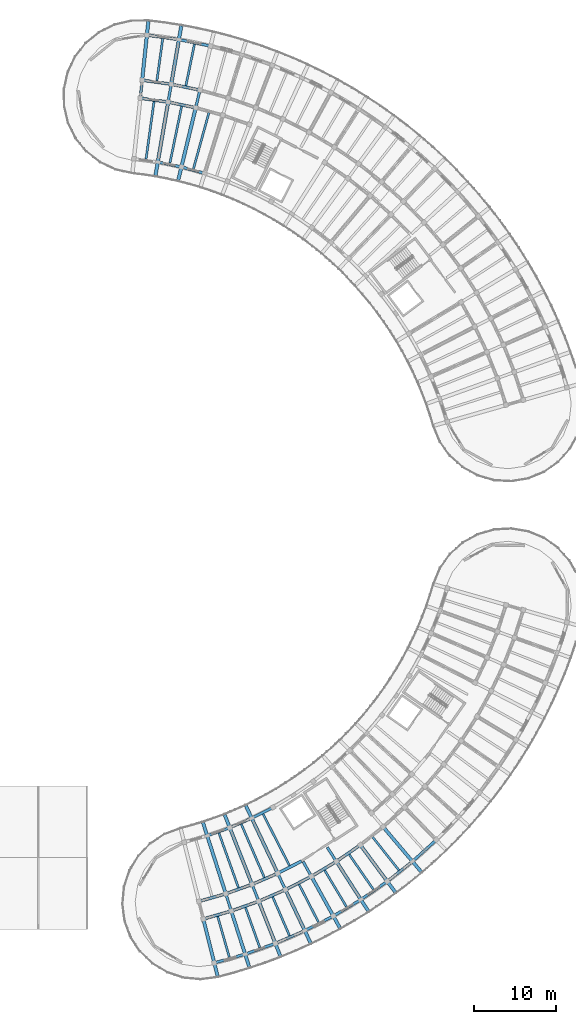
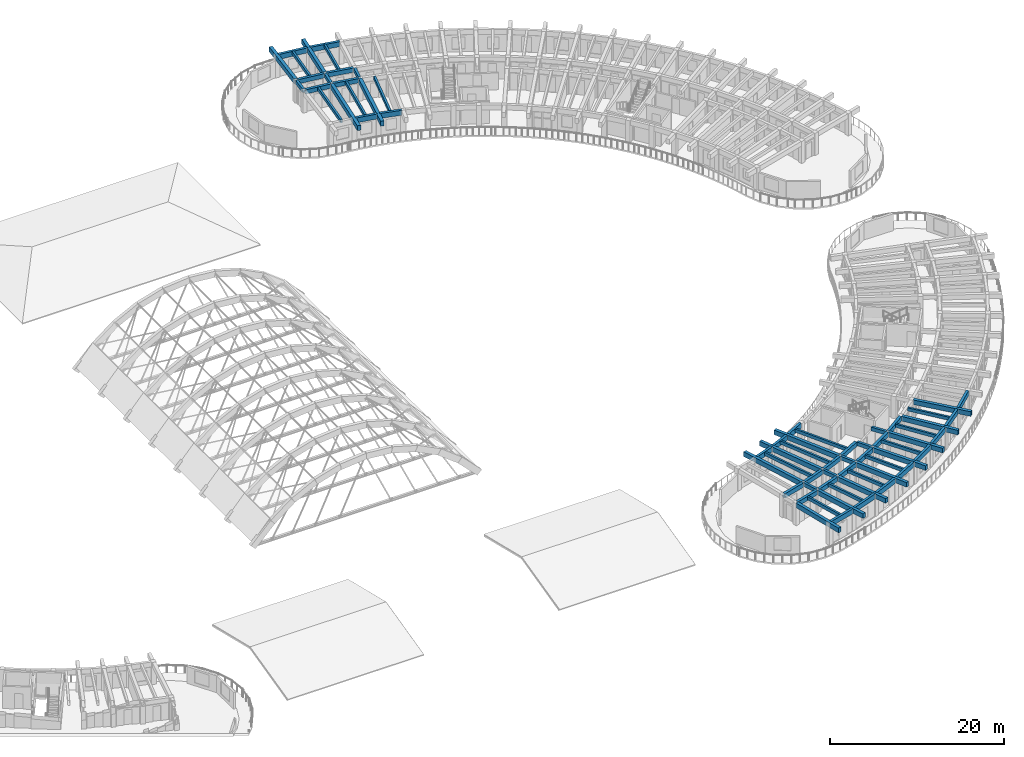
# One storey, part 16 of 81: 67 beams.
"""IFC4 building model written with IfcOpenShell, lengths in metres."""

from ifc_helpers import new_model, si_unit, direction, frame, origin, origin_2d, place, context, subcontext, project, spatial, rectangle, extrude, material, material_profile, profile_set, type_object, element, save


model = new_model("IFC4")

# Units and contexts
model_context = context("Model", 3, precision=1e-05, world=origin(), true_north=direction((0.0, 1.0)))
body_context = subcontext(model_context, "Body", "Model", "MODEL_VIEW")
ifc_project = project(units=[si_unit("LENGTHUNIT", "METRE"), si_unit("AREAUNIT", "SQUARE_METRE"), si_unit("VOLUMEUNIT", "CUBIC_METRE"), si_unit("PLANEANGLEUNIT", "RADIAN"), si_unit("MASSUNIT", "GRAM", prefix="KILO")], contexts=[model_context])

# Site, building, storey
site_placement = place(None, origin())
site = spatial("IfcSite", under=ifc_project, at=site_placement, CompositionType="ELEMENT")
building_placement = place(site_placement, origin())
building = spatial("IfcBuilding", under=site, at=building_placement, Name="Tanwirah Colonnade Gardens", CompositionType="ELEMENT")
storey_placement = place(building_placement, frame((0.0, 0.0, 8.840087890625)))
storey = spatial("IfcBuildingStorey", under=building, at=storey_placement, Name="L02", CompositionType="ELEMENT", Elevation=8.840087890625)

# Beams
ifc_material_1 = material(Name="Precast concrete C40/50", Category="concrete")
ifc_material_profile_1 = material_profile(ifc_material_1, rectangle(XDim=0.360107421875, YDim=0.610107421875, at=origin_2d()), Name="PC-BM 360x610")
ifc_profile_set_1 = profile_set([ifc_material_profile_1], Name="Precast concrete C40/50")
beam_type_1 = type_object("IfcBeamType", Name="BM-PC300", PredefinedType="BEAM", material=ifc_profile_set_1)
beam_1_placement = place(storey_placement, frame((133.68798828125, 14.231201171875, 2.7998046875), z_axis=(0.961865763464, 0.273521942585, 0.0), x_axis=(-0.273521942585, 0.961865763464, 0.0)))
element("IfcBeam", 1, at=beam_1_placement, inside=storey, type_object=beam_type_1, Name="Block D L02 Circumferential Beam 0-R1", PredefinedType="BEAM", context=body_context, shape_type="SweptSolid", body=[
    extrude(rectangle(XDim=0.360107421875, YDim=0.610107421875, at=origin_2d()), origin(), (0.0, 0.0, 1.0), 3.0927734375),
])
beam_2_placement = place(storey_placement, frame((134.22021484375, 12.096435546875, 2.7998046875), z_axis=(0.96185623635, 0.273555443366, 0.0), x_axis=(-0.273555443366, 0.96185623635, 0.0)))
element("IfcBeam", 2, at=beam_2_placement, inside=storey, type_object=beam_type_1, Name="Block D L02 Circumferential Beam 0-R2", PredefinedType="BEAM", context=body_context, shape_type="SweptSolid", body=[
    extrude(rectangle(XDim=0.360107421875, YDim=0.610107421875, at=origin_2d()), origin(), (0.0, 0.0, 1.0), 3.237060546875),
])
beam_3_placement = place(storey_placement, frame((136.948486328125, 15.168701171875, 2.7998046875), z_axis=(0.941911444877, 0.335861325564, 0.0), x_axis=(-0.335861325564, 0.941911444877, 0.0)))
element("IfcBeam", 3, at=beam_3_placement, inside=storey, type_object=beam_type_1, Name="Block D L02 Circumferential Beam 1-R1", PredefinedType="BEAM", context=body_context, shape_type="SweptSolid", body=[
    extrude(rectangle(XDim=0.360107421875, YDim=0.610107421875, at=origin_2d()), origin(), (0.0, 0.0, 1.0), 3.093017578125),
])
beam_4_placement = place(storey_placement, frame((137.619140625, 13.073486328125, 2.7998046875), z_axis=(0.941917534978, 0.335844245597, 0.0), x_axis=(-0.335844245597, 0.941917534978, 0.0)))
element("IfcBeam", 4, at=beam_4_placement, inside=storey, type_object=beam_type_1, Name="Block D L02 Circumferential Beam 1-R2", PredefinedType="BEAM", context=body_context, shape_type="SweptSolid", body=[
    extrude(rectangle(XDim=0.360107421875, YDim=0.610107421875, at=origin_2d()), origin(), (0.0, 0.0, 1.0), 3.237060546875),
])
beam_5_placement = place(storey_placement, frame((140.140869140625, 16.3173828125, 2.7998046875), z_axis=(0.917936292782, 0.396727819032, 0.0), x_axis=(-0.396727819032, 0.917936292782, 0.0)))
element("IfcBeam", 5, at=beam_5_placement, inside=storey, type_object=beam_type_1, Name="Block D L02 Circumferential Beam 2-R1", PredefinedType="BEAM", context=body_context, shape_type="SweptSolid", body=[
    extrude(rectangle(XDim=0.360107421875, YDim=0.610107421875, at=origin_2d()), origin(), (0.0, 0.0, 1.0), 3.093017578125),
])
beam_6_placement = place(storey_placement, frame((140.947021484375, 14.2705078125, 2.7998046875), z_axis=(0.917943156181, 0.396711938338, 0.0), x_axis=(-0.396711938338, 0.917943156181, 0.0)))
element("IfcBeam", 6, at=beam_6_placement, inside=storey, type_object=beam_type_1, Name="Block D L02 Circumferential Beam 2-R2", PredefinedType="BEAM", context=body_context, shape_type="SweptSolid", body=[
    extrude(rectangle(XDim=0.360107421875, YDim=0.610107421875, at=origin_2d()), origin(), (0.0, 0.0, 1.0), 3.237060546875),
])
beam_7_placement = place(storey_placement, frame((143.2509765625, 17.67236328125, 2.7998046875), z_axis=(0.890027741769, 0.45590637074, 0.0), x_axis=(-0.45590637074, 0.890027741769, 0.0)))
element("IfcBeam", 7, at=beam_7_placement, inside=storey, type_object=beam_type_1, Name="Block D L02 Circumferential Beam 3-R1", PredefinedType="BEAM", context=body_context, shape_type="SweptSolid", body=[
    extrude(rectangle(XDim=0.360107421875, YDim=0.610107421875, at=origin_2d()), origin(), (0.0, 0.0, 1.0), 3.093017578125),
])
beam_8_placement = place(storey_placement, frame((144.189453125, 15.6826171875, 2.7998046875), z_axis=(0.890025451153, 0.45591084249, 0.0), x_axis=(-0.45591084249, 0.890025451153, 0.0)))
element("IfcBeam", 8, at=beam_8_placement, inside=storey, type_object=beam_type_1, Name="Block D L02 Circumferential Beam 3-R2", PredefinedType="BEAM", context=body_context, shape_type="SweptSolid", body=[
    extrude(rectangle(XDim=0.360107421875, YDim=0.610107421875, at=origin_2d()), origin(), (0.0, 0.0, 1.0), 3.237060546875),
])
beam_9_placement = place(storey_placement, frame((147.332763671875, 17.3037109375, 2.7998046875), z_axis=(0.858270604513, 0.513197398111, 0.0), x_axis=(-0.513197398111, 0.858270604513, 0.0)))
element("IfcBeam", 9, at=beam_9_placement, inside=storey, type_object=beam_type_1, Name="Block D L02 Circumferential Beam 4-R2", PredefinedType="BEAM", context=body_context, shape_type="SweptSolid", body=[
    extrude(rectangle(XDim=0.360107421875, YDim=0.610107421875, at=origin_2d()), origin(), (0.0, 0.0, 1.0), 3.23681640625),
])
beam_10_placement = place(storey_placement, frame((150.363037109375, 19.126953125, 2.7998046875), z_axis=(0.822889344221, 0.568201660651, 0.0), x_axis=(-0.568201660651, 0.822889344221, 0.0)))
element("IfcBeam", 10, at=beam_10_placement, inside=storey, type_object=beam_type_1, Name="Block D L02 Circumferential Beam 5-R2", PredefinedType="BEAM", context=body_context, shape_type="SweptSolid", body=[
    extrude(rectangle(XDim=0.360107421875, YDim=0.610107421875, at=origin_2d()), origin(), (0.0, 0.0, 1.0), 3.237060546875),
])
ifc_material_profile_2 = material_profile(ifc_material_1, rectangle(XDim=0.320068359375, YDim=0.52001953125, at=origin_2d()), Name="PC-BM 320x520")
ifc_profile_set_2 = profile_set([ifc_material_profile_2], Name="Precast concrete C40/50")
beam_type_2 = type_object("IfcBeamType", Name="BM-PC320", PredefinedType="BEAM", material=ifc_profile_set_2)
for number, where, z_axis, x_axis, name in (
    (11, (133.188232421875, 110.75146484375, 2.844970703125), (0.234364199778, 0.972148868159, 0.0), (-0.972148868159, 0.234364199778, 0.0), "Block B L02 Corridor Tie Beam 16"),
    (12, (129.8310546875, 111.444580078125, 2.844970703125), (0.169855285462, 0.985469016256, 0.0), (-0.985469016256, 0.169855285462, 0.0), "Block B L02 Corridor Tie Beam 17"),
    (13, (126.435546875, 111.9150390625, 2.844970703125), (0.104464057197, 0.994528662611, 0.0), (-0.994528662611, 0.104464057197, 0.0), "Block B L02 Corridor Tie Beam 18"),
):
    element("IfcBeam", number, at=place(storey_placement, frame(where, z_axis=z_axis, x_axis=x_axis)), inside=storey, type_object=beam_type_2, Name=name, PredefinedType="BEAM", context=body_context, shape_type="SweptSolid", body=[
        extrude(rectangle(XDim=0.320068359375, YDim=0.52001953125, at=origin_2d()), origin(), (0.0, 0.0, 1.0), 1.900146484375),
    ])
beam_11_placement = place(storey_placement, frame((136.85302734375, 14.975341796875, 2.844970703125), z_axis=(0.304794376797, -0.952418179096, 0.0), x_axis=(0.952418179096, 0.304794376797, 0.0)))
element("IfcBeam", 14, at=beam_11_placement, inside=storey, type_object=beam_type_2, Name="Block D L02 Corridor Tie Beam 1", PredefinedType="BEAM", context=body_context, shape_type="SweptSolid", body=[
    extrude(rectangle(XDim=0.320068359375, YDim=0.52001953125, at=origin_2d()), origin(), (0.0, 0.0, 1.0), 1.89990234375),
])
beam_12_placement = place(storey_placement, frame((140.05810546875, 16.1181640625, 2.844970703125), z_axis=(0.366511033969, -0.930413704746, 0.0), x_axis=(0.930413704746, 0.366511033969, 0.0)))
element("IfcBeam", 15, at=beam_12_placement, inside=storey, type_object=beam_type_2, Name="Block D L02 Corridor Tie Beam 2", PredefinedType="BEAM", context=body_context, shape_type="SweptSolid", body=[
    extrude(rectangle(XDim=0.320068359375, YDim=0.52001953125, at=origin_2d()), origin(), (0.0, 0.0, 1.0), 1.899658203125),
])
beam_13_placement = place(storey_placement, frame((143.181640625, 17.46826171875, 2.844970703125), z_axis=(0.426483812015, -0.904495195172, 0.0), x_axis=(0.904495195172, 0.426483812015, 0.0)))
element("IfcBeam", 16, at=beam_13_placement, inside=storey, type_object=beam_type_2, Name="Block D L02 Corridor Tie Beam 3", PredefinedType="BEAM", context=body_context, shape_type="SweptSolid", body=[
    extrude(rectangle(XDim=0.320068359375, YDim=0.52001953125, at=origin_2d()), origin(), (0.0, 0.0, 1.0), 1.89990234375),
])
beam_14_placement = place(storey_placement, frame((146.210205078125, 19.019775390625, 2.844970703125), z_axis=(0.484791759649, -0.874629607192, 0.0), x_axis=(0.874629607192, 0.484791759649, 0.0)))
element("IfcBeam", 17, at=beam_14_placement, inside=storey, type_object=beam_type_2, Name="Block D L02 Corridor Tie Beam 4", PredefinedType="BEAM", context=body_context, shape_type="SweptSolid", body=[
    extrude(rectangle(XDim=0.320068359375, YDim=0.52001953125, at=origin_2d()), origin(), (0.0, 0.0, 1.0), 1.900146484375),
])
beam_15_placement = place(storey_placement, frame((149.130615234375, 20.765869140625, 2.844970703125), z_axis=(0.540984881989, -0.841032316537, 0.0), x_axis=(0.841032316537, 0.540984881989, 0.0)))
element("IfcBeam", 18, at=beam_15_placement, inside=storey, type_object=beam_type_2, Name="Block D L02 Corridor Tie Beam 5", PredefinedType="BEAM", context=body_context, shape_type="SweptSolid", body=[
    extrude(rectangle(XDim=0.320068359375, YDim=0.52001953125, at=origin_2d()), origin(), (0.0, 0.0, 1.0), 1.89990234375),
])
ifc_material_profile_3 = material_profile(ifc_material_1, rectangle(XDim=0.35009765625, YDim=0.60009765625, at=origin_2d()), Name="PC-BM 350x600")
ifc_profile_set_3 = profile_set([ifc_material_profile_3], Name="Precast concrete C40/50")
beam_type_3 = type_object("IfcBeamType", Name="BM-PC350B", PredefinedType="BEAM", material=ifc_profile_set_3)
beam_16_placement = place(storey_placement, frame((133.006103515625, 110.635986328125, 2.804931640625), z_axis=(-0.979335880607, 0.202240532428, 0.0), x_axis=(-0.202240532428, -0.979335880607, 0.0)))
element("IfcBeam", 19, at=beam_16_placement, inside=storey, type_object=beam_type_3, Name="Block B L02 Circumferential Beam 16-R1", PredefinedType="BEAM", context=body_context, shape_type="SweptSolid", body=[
    extrude(rectangle(XDim=0.35009765625, YDim=0.60009765625, at=origin_2d()), origin(), (0.0, 0.0, 1.0), 3.1181640625),
])
beam_17_placement = place(storey_placement, frame((133.521728515625, 112.774658203125, 2.804931640625), z_axis=(-0.979335599813, 0.202241892146, 0.0), x_axis=(-0.202241892146, -0.979335599813, 0.0)))
element("IfcBeam", 20, at=beam_17_placement, inside=storey, type_object=beam_type_3, Name="Block B L02 Circumferential Beam 16-R2", PredefinedType="BEAM", context=body_context, shape_type="SweptSolid", body=[
    extrude(rectangle(XDim=0.35009765625, YDim=0.60009765625, at=origin_2d()), origin(), (0.0, 0.0, 1.0), 3.262939453125),
])
beam_18_placement = place(storey_placement, frame((129.656982421875, 111.3173828125, 2.804931640625), z_axis=(-0.990535787723, 0.137254702069, 0.0), x_axis=(-0.137254702069, -0.990535787723, 0.0)))
element("IfcBeam", 21, at=beam_18_placement, inside=storey, type_object=beam_type_3, Name="Block B L02 Circumferential Beam 17-R1", PredefinedType="BEAM", context=body_context, shape_type="SweptSolid", body=[
    extrude(rectangle(XDim=0.35009765625, YDim=0.60009765625, at=origin_2d()), origin(), (0.0, 0.0, 1.0), 3.1181640625),
])
beam_19_placement = place(storey_placement, frame((130.030517578125, 113.4853515625, 2.804931640625), z_axis=(-0.990530465749, 0.13729310406, 0.0), x_axis=(-0.13729310406, -0.990530465749, 0.0)))
element("IfcBeam", 22, at=beam_19_placement, inside=storey, type_object=beam_type_3, Name="Block B L02 Circumferential Beam 17-R2", PredefinedType="BEAM", context=body_context, shape_type="SweptSolid", body=[
    extrude(rectangle(XDim=0.35009765625, YDim=0.60009765625, at=origin_2d()), origin(), (0.0, 0.0, 1.0), 3.26318359375),
])
ifc_material_2 = material(Name="Precast concrete C45/55", Category="concrete")
ifc_material_profile_4 = material_profile(ifc_material_2, rectangle(XDim=0.39990234375, YDim=0.64990234375, at=origin_2d()), Name="PC-BM 400x650")
ifc_profile_set_4 = profile_set([ifc_material_profile_4], Name="Precast concrete C45/55")
beam_type_4 = type_object("IfcBeamType", Name="BM-PC400", PredefinedType="BEAM", material=ifc_profile_set_4)
beam_20_placement = place(storey_placement, frame((134.112060546875, 11.909912109375, 2.780029296875), z_axis=(0.241924461086, -0.970295086625, 0.0), x_axis=(0.970295086625, 0.241924461086, 0.0)))
element("IfcBeam", 23, at=beam_20_placement, inside=storey, type_object=beam_type_4, Name="Block D L02 Outer Radial Precast Girder 0", PredefinedType="BEAM", context=body_context, shape_type="SweptSolid", body=[
    extrude(rectangle(XDim=0.39990234375, YDim=0.64990234375, at=origin_2d()), origin(), (0.0, 0.0, 1.0), 7.050048828125),
])
beam_21_placement = place(storey_placement, frame((136.761474609375, 15.26123046875, 2.780029296875), z_axis=(-0.304862826508, 0.952396270999, 0.0), x_axis=(-0.952396270999, -0.304862826508, 0.0)))
element("IfcBeam", 24, at=beam_21_placement, inside=storey, type_object=beam_type_4, Name="Block D L02 Inner Radial Precast Girder 1", PredefinedType="BEAM", context=body_context, shape_type="SweptSolid", body=[
    extrude(rectangle(XDim=0.39990234375, YDim=0.64990234375, at=origin_2d()), origin(), (0.0, 0.0, 1.0), 8.949951171875),
])
beam_22_placement = place(storey_placement, frame((137.523681640625, 12.880126953125, 2.780029296875), z_axis=(0.304849862001, -0.952400420851, 0.0), x_axis=(0.952400420851, 0.304849862001, 0.0)))
element("IfcBeam", 25, at=beam_22_placement, inside=storey, type_object=beam_type_4, Name="Block D L02 Outer Radial Precast Girder 1", PredefinedType="BEAM", context=body_context, shape_type="SweptSolid", body=[
    extrude(rectangle(XDim=0.39990234375, YDim=0.64990234375, at=origin_2d()), origin(), (0.0, 0.0, 1.0), 7.050048828125),
])
beam_23_placement = place(storey_placement, frame((139.947998046875, 16.3974609375, 2.780029296875), z_axis=(-0.36648945479, 0.930422204984, 0.0), x_axis=(-0.930422204984, -0.36648945479, 0.0)))
element("IfcBeam", 26, at=beam_23_placement, inside=storey, type_object=beam_type_4, Name="Block D L02 Inner Radial Precast Girder 2", PredefinedType="BEAM", context=body_context, shape_type="SweptSolid", body=[
    extrude(rectangle(XDim=0.39990234375, YDim=0.64990234375, at=origin_2d()), origin(), (0.0, 0.0, 1.0), 8.949951171875),
])
beam_24_placement = place(storey_placement, frame((140.8642578125, 14.0712890625, 2.780029296875), z_axis=(0.366525426804, -0.930408034953, 0.0), x_axis=(0.930408034953, 0.366525426804, 0.0)))
element("IfcBeam", 27, at=beam_24_placement, inside=storey, type_object=beam_type_4, Name="Block D L02 Outer Radial Precast Girder 2", PredefinedType="BEAM", context=body_context, shape_type="SweptSolid", body=[
    extrude(rectangle(XDim=0.39990234375, YDim=0.64990234375, at=origin_2d()), origin(), (0.0, 0.0, 1.0), 7.050048828125),
])
beam_25_placement = place(storey_placement, frame((143.0537109375, 17.73974609375, 2.780029296875), z_axis=(-0.426582468098, 0.904448670689, 0.0), x_axis=(-0.904448670689, -0.426582468098, 0.0)))
element("IfcBeam", 28, at=beam_25_placement, inside=storey, type_object=beam_type_4, Name="Block D L02 Inner Radial Precast Girder 3", PredefinedType="BEAM", context=body_context, shape_type="SweptSolid", body=[
    extrude(rectangle(XDim=0.39990234375, YDim=0.64990234375, at=origin_2d()), origin(), (0.0, 0.0, 1.0), 8.949951171875),
])
beam_26_placement = place(storey_placement, frame((144.1201171875, 15.478515625, 2.780029296875), z_axis=(0.426567365945, -0.904455793453, 0.0), x_axis=(0.904455793453, 0.426567365945, 0.0)))
element("IfcBeam", 29, at=beam_26_placement, inside=storey, type_object=beam_type_4, Name="Block D L02 Outer Radial Precast Girder 3", PredefinedType="BEAM", context=body_context, shape_type="SweptSolid", body=[
    extrude(rectangle(XDim=0.39990234375, YDim=0.64990234375, at=origin_2d()), origin(), (0.0, 0.0, 1.0), 7.050048828125),
])
beam_27_placement = place(storey_placement, frame((147.276611328125, 17.095703125, 2.780029296875), z_axis=(0.484804753745, -0.874622404667, 0.0), x_axis=(0.874622404667, 0.484804753745, 0.0)))
element("IfcBeam", 30, at=beam_27_placement, inside=storey, type_object=beam_type_4, Name="Block D L02 Outer Radial Precast Girder 4", PredefinedType="BEAM", context=body_context, shape_type="SweptSolid", body=[
    extrude(rectangle(XDim=0.39990234375, YDim=0.64990234375, at=origin_2d()), origin(), (0.0, 0.0, 1.0), 7.05029296875),
])
for number, where, z_axis, x_axis, name in (
    (31, (150.32080078125, 18.915771484375, 2.780029296875), (0.540976349149, -0.841037805132, 0.0), (0.841037805132, 0.540976349149, 0.0), "Block D L02 Outer Radial Precast Girder 5"),
    (32, (153.239501953125, 20.930908203125, 2.780029296875), (0.594806754627, -0.803868723518, 0.0), (0.803868723518, 0.594806754627, 0.0), "Block D L02 Outer Radial Precast Girder 6"),
    (33, (156.02001953125, 23.1328125, 2.780029296875), (0.646119193339, -0.763236521663, 0.0), (0.763236521663, 0.646119193339, 0.0), "Block D L02 Outer Radial Precast Girder 7"),
):
    element("IfcBeam", number, at=place(storey_placement, frame(where, z_axis=z_axis, x_axis=x_axis)), inside=storey, type_object=beam_type_4, Name=name, PredefinedType="BEAM", context=body_context, shape_type="SweptSolid", body=[
        extrude(rectangle(XDim=0.39990234375, YDim=0.64990234375, at=origin_2d()), origin(), (0.0, 0.0, 1.0), 7.050048828125),
    ])
ifc_material_profile_5 = material_profile(ifc_material_2, rectangle(XDim=0.419921875, YDim=0.679931640625, at=origin_2d()), Name="PC-BM 420x680")
ifc_profile_set_5 = profile_set([ifc_material_profile_5], Name="Precast concrete C45/55")
beam_type_5 = type_object("IfcBeamType", Name="BM-PC420", PredefinedType="BEAM", material=ifc_profile_set_5)
for number, where, z_axis, x_axis, name in (
    (34, (133.117919921875, 110.459716796875, 2.764892578125), (-0.234401428133, -0.972139892448, 0.0), (0.972139892448, -0.234401428133, 0.0), "Block B L02 Inner Radial Precast Girder 16"),
    (35, (129.780029296875, 111.14892578125, 2.764892578125), (-0.169837490725, -0.985472083189, 0.0), (0.985472083189, -0.169837490725, 0.0), "Block B L02 Inner Radial Precast Girder 17"),
):
    element("IfcBeam", number, at=place(storey_placement, frame(where, z_axis=z_axis, x_axis=x_axis)), inside=storey, type_object=beam_type_5, Name=name, PredefinedType="BEAM", context=body_context, shape_type="SweptSolid", body=[
        extrude(rectangle(XDim=0.419921875, YDim=0.679931640625, at=origin_2d()), origin(), (0.0, 0.0, 1.0), 8.949951171875),
    ])
beam_28_placement = place(storey_placement, frame((130.20458984375, 113.61279296875, 2.764892578125), z_axis=(0.169826898404, 0.985473908624, 0.0), x_axis=(-0.985473908624, 0.169826898404, 0.0)))
element("IfcBeam", 36, at=beam_28_placement, inside=storey, type_object=beam_type_5, Name="Block B L02 Outer Radial Precast Girder 17", PredefinedType="BEAM", context=body_context, shape_type="SweptSolid", body=[
    extrude(rectangle(XDim=0.419921875, YDim=0.679931640625, at=origin_2d()), origin(), (0.0, 0.0, 1.0), 7.0498046875),
])
beam_29_placement = place(storey_placement, frame((126.66552734375, 114.10302734375, 2.764892578125), z_axis=(0.104511730475, 0.994523653913, 0.0), x_axis=(-0.994523653913, 0.104511730475, 0.0)))
element("IfcBeam", 37, at=beam_29_placement, inside=storey, type_object=beam_type_5, Name="Block B L02 Outer Radial Precast Girder 18", PredefinedType="BEAM", context=body_context, shape_type="SweptSolid", body=[
    extrude(rectangle(XDim=0.419921875, YDim=0.679931640625, at=origin_2d()), origin(), (0.0, 0.0, 1.0), 7.050048828125),
])
ifc_material_profile_6 = material_profile(ifc_material_1, rectangle(XDim=0.2548828125, YDim=0.455078125, at=origin_2d()), Name="PC-JST 255x455")
ifc_profile_set_6 = profile_set([ifc_material_profile_6], Name="Precast concrete C40/50")
beam_type_6 = type_object("IfcBeamType", Name="JST-PC240", PredefinedType="JOIST", material=ifc_profile_set_6)
for number, where, z_axis, x_axis, name in (
    (38, (135.817626953125, 12.39599609375, 2.87744140625), (0.27352550206, -0.961864751263, 0.0), (0.961864751263, 0.27352550206, 0.0), "Block D L02 Precast Floor Joist 0"),
    (39, (139.193603515625, 13.4765625, 2.87744140625), (0.335862957845, -0.941910862846, 0.0), (0.941910862846, 0.335862957845, 0.0), "Block D L02 Precast Floor Joist 1"),
):
    element("IfcBeam", number, at=place(storey_placement, frame(where, z_axis=z_axis, x_axis=x_axis)), inside=storey, type_object=beam_type_6, Name=name, PredefinedType="JOIST", context=body_context, shape_type="SweptSolid", body=[
        extrude(rectangle(XDim=0.2548828125, YDim=0.455078125, at=origin_2d()), origin(), (0.0, 0.0, 1.0), 5.260009765625),
    ])
beam_30_placement = place(storey_placement, frame((135.969482421875, 22.51904296875, 2.87744140625), z_axis=(0.335861148107, -0.941911508154, 0.0), x_axis=(0.941911508154, 0.335861148107, 0.0)))
element("IfcBeam", 40, at=beam_30_placement, inside=storey, type_object=beam_type_6, Name="Block D L02 Inner Precast Floor Joist 1", PredefinedType="JOIST", context=body_context, shape_type="SweptSolid", body=[
    extrude(rectangle(XDim=0.2548828125, YDim=0.455078125, at=origin_2d()), origin(), (0.0, 0.0, 1.0), 7.16015625),
])
beam_31_placement = place(storey_placement, frame((142.49169921875, 14.77587890625, 2.87744140625), z_axis=(0.396746282, -0.917928312952, 0.0), x_axis=(0.917928312952, 0.396746282, 0.0)))
element("IfcBeam", 41, at=beam_31_placement, inside=storey, type_object=beam_type_6, Name="Block D L02 Precast Floor Joist 2", PredefinedType="JOIST", context=body_context, shape_type="SweptSolid", body=[
    extrude(rectangle(XDim=0.2548828125, YDim=0.455078125, at=origin_2d()), origin(), (0.0, 0.0, 1.0), 5.260009765625),
])
beam_32_placement = place(storey_placement, frame((138.68310546875, 23.587890625, 2.87744140625), z_axis=(0.396736454079, -0.917932560706, 0.0), x_axis=(0.917932560706, 0.396736454079, 0.0)))
element("IfcBeam", 42, at=beam_32_placement, inside=storey, type_object=beam_type_6, Name="Block D L02 Inner Precast Floor Joist 2", PredefinedType="JOIST", context=body_context, shape_type="SweptSolid", body=[
    extrude(rectangle(XDim=0.2548828125, YDim=0.455078125, at=origin_2d()), origin(), (0.0, 0.0, 1.0), 7.159912109375),
])
beam_33_placement = place(storey_placement, frame((145.697998046875, 16.287841796875, 2.87744140625), z_axis=(0.455936851617, -0.890012127635, 0.0), x_axis=(0.890012127635, 0.455936851617, 0.0)))
element("IfcBeam", 43, at=beam_33_placement, inside=storey, type_object=beam_type_6, Name="Block D L02 Precast Floor Joist 3", PredefinedType="JOIST", context=body_context, shape_type="SweptSolid", body=[
    extrude(rectangle(XDim=0.2548828125, YDim=0.455078125, at=origin_2d()), origin(), (0.0, 0.0, 1.0), 5.260009765625),
])
beam_34_placement = place(storey_placement, frame((141.321044921875, 24.83203125, 2.87744140625), z_axis=(0.455921327553, -0.890020080157, 0.0), x_axis=(0.890020080157, 0.455921327553, 0.0)))
element("IfcBeam", 44, at=beam_34_placement, inside=storey, type_object=beam_type_6, Name="Block D L02 Inner Precast Floor Joist 3", PredefinedType="JOIST", context=body_context, shape_type="SweptSolid", body=[
    extrude(rectangle(XDim=0.2548828125, YDim=0.455078125, at=origin_2d()), origin(), (0.0, 0.0, 1.0), 7.159912109375),
])
for number, where, z_axis, x_axis, name in (
    (45, (148.79833984375, 18.006591796875, 2.87744140625), (0.513157303227, -0.858294577721, 0.0), (0.858294577721, 0.513157303227, 0.0), "Block D L02 Precast Floor Joist 4"),
    (46, (151.779541015625, 19.924072265625, 2.87744140625), (0.56820792868, -0.822885016138, 0.0), (0.822885016138, 0.56820792868, 0.0), "Block D L02 Precast Floor Joist 5"),
    (47, (154.629150390625, 22.03271484375, 2.87744140625), (0.620787347885, -0.783978997617, 0.0), (0.783978997617, 0.620787347885, 0.0), "Block D L02 Precast Floor Joist 6"),
):
    element("IfcBeam", number, at=place(storey_placement, frame(where, z_axis=z_axis, x_axis=x_axis)), inside=storey, type_object=beam_type_6, Name=name, PredefinedType="JOIST", context=body_context, shape_type="SweptSolid", body=[
        extrude(rectangle(XDim=0.2548828125, YDim=0.455078125, at=origin_2d()), origin(), (0.0, 0.0, 1.0), 5.260009765625),
    ])
ifc_material_profile_7 = material_profile(ifc_material_1, rectangle(XDim=0.260009765625, YDim=0.4599609375, at=origin_2d()), Name="PC-JST 260x460")
ifc_profile_set_7 = profile_set([ifc_material_profile_7], Name="Precast concrete C40/50")
beam_type_7 = type_object("IfcBeamType", Name="JST-PC260", PredefinedType="JOIST", material=ifc_profile_set_7)
beam_35_placement = place(storey_placement, frame((132.869140625, 103.16064453125, 2.875), z_axis=(0.266307034535, 0.963888252526, 0.0), x_axis=(-0.963888252526, 0.266307034535, 0.0)))
element("IfcBeam", 48, at=beam_35_placement, inside=storey, type_object=beam_type_7, Name="Block B L02 Inner Precast Floor Joist 15", PredefinedType="JOIST", context=body_context, shape_type="SweptSolid", body=[
    extrude(rectangle(XDim=0.260009765625, YDim=0.4599609375, at=origin_2d()), origin(), (0.0, 0.0, 1.0), 7.159912109375),
])
beam_36_placement = place(storey_placement, frame((131.9541015625, 113.2509765625, 2.875), z_axis=(0.202235688429, 0.979336880918, 0.0), x_axis=(-0.979336880918, 0.202235688429, 0.0)))
element("IfcBeam", 49, at=beam_36_placement, inside=storey, type_object=beam_type_7, Name="Block B L02 Precast Floor Joist 16", PredefinedType="JOIST", context=body_context, shape_type="SweptSolid", body=[
    extrude(rectangle(XDim=0.260009765625, YDim=0.4599609375, at=origin_2d()), origin(), (0.0, 0.0, 1.0), 5.259765625),
])
beam_37_placement = place(storey_placement, frame((130.012939453125, 103.84912109375, 2.875), z_axis=(0.202197428816, 0.979344780851, 0.0), x_axis=(-0.979344780851, 0.202197428816, 0.0)))
element("IfcBeam", 50, at=beam_37_placement, inside=storey, type_object=beam_type_7, Name="Block B L02 Inner Precast Floor Joist 16", PredefinedType="JOIST", context=body_context, shape_type="SweptSolid", body=[
    extrude(rectangle(XDim=0.260009765625, YDim=0.4599609375, at=origin_2d()), origin(), (0.0, 0.0, 1.0), 7.16015625),
])
beam_38_placement = place(storey_placement, frame((128.43505859375, 113.857421875, 2.875), z_axis=(0.137248344923, 0.990536668587, 0.0), x_axis=(-0.990536668587, 0.137248344923, 0.0)))
element("IfcBeam", 51, at=beam_38_placement, inside=storey, type_object=beam_type_7, Name="Block B L02 Precast Floor Joist 17", PredefinedType="JOIST", context=body_context, shape_type="SweptSolid", body=[
    extrude(rectangle(XDim=0.260009765625, YDim=0.4599609375, at=origin_2d()), origin(), (0.0, 0.0, 1.0), 5.260009765625),
])
beam_39_placement = place(storey_placement, frame((127.117431640625, 104.34814453125, 2.875), z_axis=(0.137243132462, 0.99053739081, 0.0), x_axis=(-0.99053739081, 0.137243132462, 0.0)))
element("IfcBeam", 52, at=beam_39_placement, inside=storey, type_object=beam_type_7, Name="Block B L02 Inner Precast Floor Joist 17", PredefinedType="JOIST", context=body_context, shape_type="SweptSolid", body=[
    extrude(rectangle(XDim=0.260009765625, YDim=0.4599609375, at=origin_2d()), origin(), (0.0, 0.0, 1.0), 7.16015625),
])
ifc_material_profile_8 = material_profile(ifc_material_1, rectangle(XDim=0.324951171875, YDim=0.68505859375, at=origin_2d()), Name="PC-SP 325x685")
ifc_profile_set_8 = profile_set([ifc_material_profile_8], Name="Precast concrete C40/50")
beam_type_8 = type_object("IfcBeamType", Name="SP-PC260", PredefinedType="SPANDREL", material=ifc_profile_set_8)
beam_40_placement = place(storey_placement, frame((135.55078125, 6.760009765625, 2.762451171875), z_axis=(0.96186131547, 0.273537583893, 0.0), x_axis=(-0.273537583893, 0.96186131547, 0.0)))
element("IfcBeam", 53, at=beam_40_placement, inside=storey, type_object=beam_type_8, Name="Block D L02 Circumferential Beam 0-R3", PredefinedType="SPANDREL", context=body_context, shape_type="SweptSolid", body=[
    extrude(rectangle(XDim=0.324951171875, YDim=0.68505859375, at=origin_2d()), origin(), (0.0, 0.0, 1.0), 3.596923828125),
])
beam_41_placement = place(storey_placement, frame((134.692626953125, 22.21630859375, 2.762451171875), z_axis=(0.941898499992, 0.335897626835, 0.0), x_axis=(-0.335897626835, 0.941898499992, 0.0)))
element("IfcBeam", 54, at=beam_41_placement, inside=storey, type_object=beam_type_8, Name="Block D L02 Circumferential Beam 1-R0", PredefinedType="SPANDREL", context=body_context, shape_type="SweptSolid", body=[
    extrude(rectangle(XDim=0.324951171875, YDim=0.68505859375, at=origin_2d()), origin(), (0.0, 0.0, 1.0), 2.608642578125),
])
beam_42_placement = place(storey_placement, frame((139.2958984375, 7.835205078125, 2.762451171875), z_axis=(0.941915315404, 0.335850470607, 0.0), x_axis=(-0.335850470607, 0.941915315404, 0.0)))
element("IfcBeam", 55, at=beam_42_placement, inside=storey, type_object=beam_type_8, Name="Block D L02 Circumferential Beam 1-R3", PredefinedType="SPANDREL", context=body_context, shape_type="SweptSolid", body=[
    extrude(rectangle(XDim=0.324951171875, YDim=0.68505859375, at=origin_2d()), origin(), (0.0, 0.0, 1.0), 3.596923828125),
])
beam_43_placement = place(storey_placement, frame((137.4287109375, 23.202392578125, 2.762451171875), z_axis=(0.917901260915, 0.396808864833, 0.0), x_axis=(-0.396808864833, 0.917901260915, 0.0)))
element("IfcBeam", 56, at=beam_43_placement, inside=storey, type_object=beam_type_8, Name="Block D L02 Circumferential Beam 2-R0", PredefinedType="SPANDREL", context=body_context, shape_type="SweptSolid", body=[
    extrude(rectangle(XDim=0.324951171875, YDim=0.68505859375, at=origin_2d()), origin(), (0.0, 0.0, 1.0), 2.608642578125),
])
beam_44_placement = place(storey_placement, frame((142.962890625, 9.153076171875, 2.762451171875), z_axis=(0.917925861765, 0.396751953118, 0.0), x_axis=(-0.396751953118, 0.917925861765, 0.0)))
element("IfcBeam", 57, at=beam_44_placement, inside=storey, type_object=beam_type_8, Name="Block D L02 Circumferential Beam 2-R3", PredefinedType="SPANDREL", context=body_context, shape_type="SweptSolid", body=[
    extrude(rectangle(XDim=0.324951171875, YDim=0.68505859375, at=origin_2d()), origin(), (0.0, 0.0, 1.0), 3.5966796875),
])
beam_45_placement = place(storey_placement, frame((140.094482421875, 24.365478515625, 2.762451171875), z_axis=(0.890042438658, 0.455877678097, 0.0), x_axis=(-0.455877678097, 0.890042438658, 0.0)))
element("IfcBeam", 58, at=beam_45_placement, inside=storey, type_object=beam_type_8, Name="Block D L02 Circumferential Beam 3-R0", PredefinedType="SPANDREL", context=body_context, shape_type="SweptSolid", body=[
    extrude(rectangle(XDim=0.324951171875, YDim=0.68505859375, at=origin_2d()), origin(), (0.0, 0.0, 1.0), 2.608642578125),
])
for number, where, z_axis, x_axis, name in (
    (59, (146.53564453125, 10.7080078125, 2.762451171875), (0.890013134589, 0.455934885985, 0.0), (-0.455934885985, 0.890013134589, 0.0), "Block D L02 Circumferential Beam 3-R3"),
    (60, (149.999267578125, 12.493408203125, 2.762451171875), (0.858282522832, 0.513177465407, 0.0), (-0.513177465407, 0.858282522832, 0.0), "Block D L02 Circumferential Beam 4-R3"),
):
    element("IfcBeam", number, at=place(storey_placement, frame(where, z_axis=z_axis, x_axis=x_axis)), inside=storey, type_object=beam_type_8, Name=name, PredefinedType="SPANDREL", context=body_context, shape_type="SweptSolid", body=[
        extrude(rectangle(XDim=0.324951171875, YDim=0.68505859375, at=origin_2d()), origin(), (0.0, 0.0, 1.0), 3.5966796875),
    ])
for number, where, z_axis, x_axis, name in (
    (61, (153.33837890625, 14.50146484375, 2.762451171875), (0.822907478943, 0.568175396423, 0.0), (-0.568175396423, 0.822907478943, 0.0), "Block D L02 Circumferential Beam 5-R3"),
    (62, (156.539306640625, 16.723388671875, 2.762451171875), (0.783971495357, 0.620796822211, 0.0), (-0.620796822211, 0.783971495357, 0.0), "Block D L02 Circumferential Beam 6-R3"),
    (63, (159.587890625, 19.150146484375, 2.762451171875), (0.741682092868, 0.670751573325, 0.0), (-0.670751573325, 0.741682092868, 0.0), "Block D L02 Circumferential Beam 7-R3"),
):
    element("IfcBeam", number, at=place(storey_placement, frame(where, z_axis=z_axis, x_axis=x_axis)), inside=storey, type_object=beam_type_8, Name=name, PredefinedType="SPANDREL", context=body_context, shape_type="SweptSolid", body=[
        extrude(rectangle(XDim=0.324951171875, YDim=0.68505859375, at=origin_2d()), origin(), (0.0, 0.0, 1.0), 3.596923828125),
    ])
ifc_material_profile_9 = material_profile(ifc_material_1, rectangle(XDim=0.3349609375, YDim=0.695068359375, at=origin_2d()), Name="PC-SP 335x695")
ifc_profile_set_9 = profile_set([ifc_material_profile_9], Name="Precast concrete C40/50")
beam_type_9 = type_object("IfcBeamType", Name="SP-PC300", PredefinedType="SPANDREL", material=ifc_profile_set_9)
for number, where, z_axis, x_axis, name in (
    (64, (134.098388671875, 102.67138671875, 2.75732421875), (-0.96388669146, 0.266312684688, 0.0), (-0.266312684688, -0.96388669146, 0.0), "Block B L02 Circumferential Beam 15-R0"),
    (65, (131.271728515625, 103.442138671875, 2.75732421875), (-0.979351764611, 0.202163599974, 0.0), (-0.202163599974, -0.979351764611, 0.0), "Block B L02 Circumferential Beam 16-R0"),
):
    element("IfcBeam", number, at=place(storey_placement, frame(where, z_axis=z_axis, x_axis=x_axis)), inside=storey, type_object=beam_type_9, Name=name, PredefinedType="SPANDREL", context=body_context, shape_type="SweptSolid", body=[
        extrude(rectangle(XDim=0.3349609375, YDim=0.695068359375, at=origin_2d()), origin(), (0.0, 0.0, 1.0), 2.630126953125),
    ])
for number, where, z_axis, x_axis, name in (
    (66, (134.810791015625, 118.121337890625, 2.75732421875), (-0.979328544205, 0.202276055197, 0.0), (-0.202276055197, -0.979328544205, 0.0), "Block B L02 Circumferential Beam 16-R3"),
    (67, (130.964599609375, 118.905517578125, 2.75732421875), (-0.990538603978, 0.137234376268, 0.0), (-0.137234376268, -0.990538603978, 0.0), "Block B L02 Circumferential Beam 17-R3"),
):
    element("IfcBeam", number, at=place(storey_placement, frame(where, z_axis=z_axis, x_axis=x_axis)), inside=storey, type_object=beam_type_9, Name=name, PredefinedType="SPANDREL", context=body_context, shape_type="SweptSolid", body=[
        extrude(rectangle(XDim=0.3349609375, YDim=0.695068359375, at=origin_2d()), origin(), (0.0, 0.0, 1.0), 3.625732421875),
    ])

save(model, "model.ifc")
